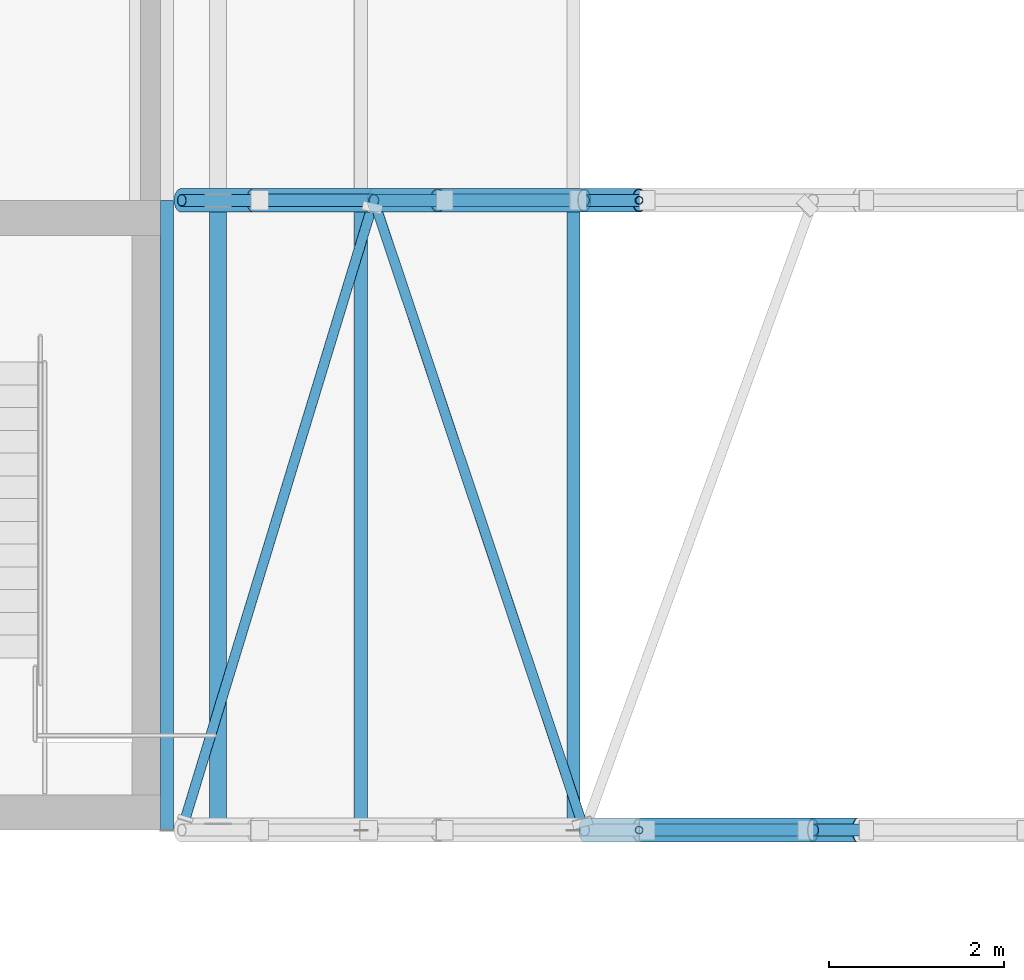
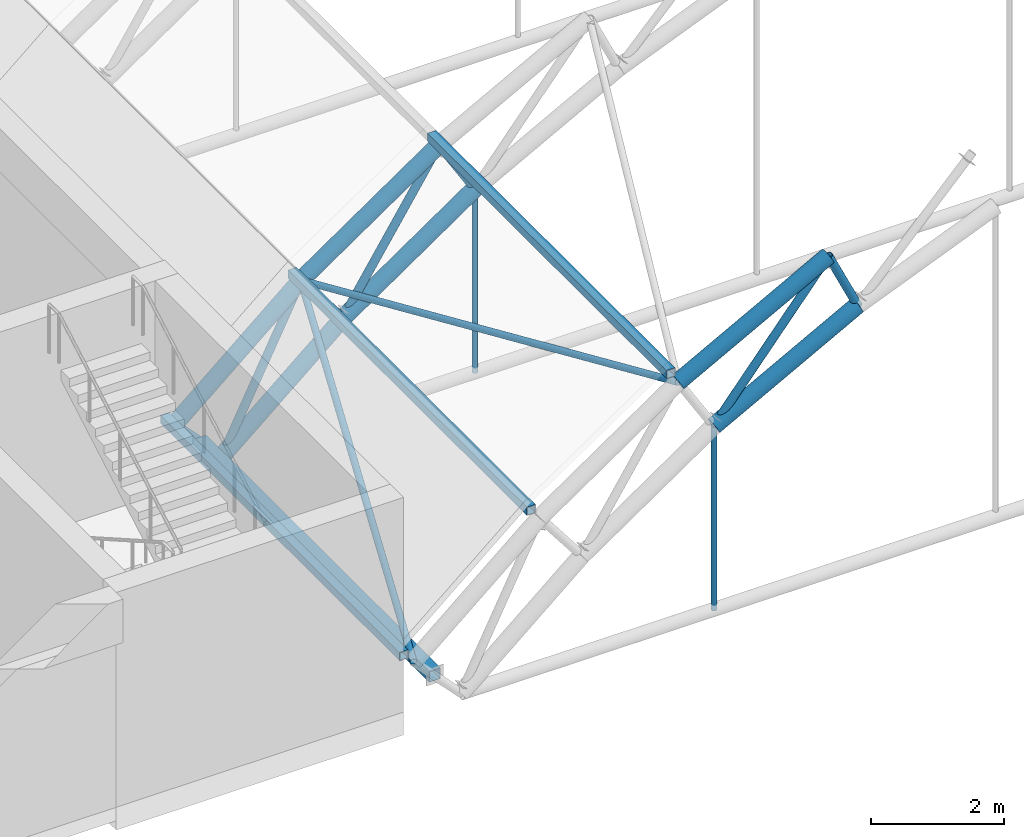
# One storey, part 4 of 101: 21 members.
"""IFC4 building model written with IfcOpenShell, lengths in metres."""

from ifc_helpers import new_model, si_unit, direction, frame, origin, origin_2d, place, context, subcontext, project, spatial, hollow_rectangle, hollow_circle, extrude, material, material_profile, profile_set, type_object, element, save


model = new_model("IFC4")

# Units and contexts
model_context = context("Model", 3, precision=1e-05, world=origin(), true_north=direction((0.0, 1.0)))
body_context = subcontext(model_context, "Body", "Model", "MODEL_VIEW")
ifc_project = project(units=[si_unit("LENGTHUNIT", "METRE"), si_unit("AREAUNIT", "SQUARE_METRE"), si_unit("VOLUMEUNIT", "CUBIC_METRE"), si_unit("PLANEANGLEUNIT", "RADIAN"), si_unit("MASSUNIT", "GRAM", prefix="KILO")], contexts=[model_context])

# Site, building, storey
site_placement = place(None, origin())
site = spatial("IfcSite", under=ifc_project, at=site_placement, CompositionType="ELEMENT")
building_placement = place(site_placement, origin())
building = spatial("IfcBuilding", under=site, at=building_placement, Name="Laocheng Heights Fire and Rescue Headquarters", CompositionType="ELEMENT")
storey_placement = place(building_placement, frame((0.0, 0.0, 8.39990234375)))
storey = spatial("IfcBuildingStorey", under=building, at=storey_placement, Name="L02", CompositionType="ELEMENT", Elevation=8.39990234375)

# Members
ifc_material_1 = material(Name="Steel Q355B", Category="steel")
ifc_material_profile_1 = material_profile(ifc_material_1, hollow_circle(Radius=0.05712890625, WallThickness=0.0048828125, at=origin_2d()), Name="CHS 114.3x5")
ifc_profile_set_1 = profile_set([ifc_material_profile_1], Name="Steel Q355B")
member_type_1 = type_object("IfcMemberType", Name="BAY ROOF BRACE CHS 114.3x5", PredefinedType="BRACE", material=ifc_profile_set_1)
member_1_placement = place(storey_placement, frame((17.172119140625, 0.0, 0.869140625), z_axis=(0.283133389877, 0.927971415967, 0.242290186936), x_axis=(-0.956470579112, 0.291828770501, 0.0)))
element("IfcMember", 1, at=member_1_placement, inside=storey, type_object=member_type_1, Name="Roof brace A-B panel 01", PredefinedType="BRACE", context=body_context, shape_type="SweptSolid", body=[
    extrude(hollow_circle(Radius=0.05712890625, WallThickness=0.0048828125, at=origin_2d()), origin(), (0.0, 0.0, 1.0), 7.7587890625),
])
member_2_placement = place(storey_placement, frame((21.77490234375, 0.0, 4.401123046875), z_axis=(-0.309692523048, 0.926752125541, -0.212652390002), x_axis=(-0.948445041758, -0.316941639366, 0.0)))
element("IfcMember", 2, at=member_2_placement, inside=storey, type_object=member_type_1, Name="Roof brace A-B panel 02", PredefinedType="BRACE", context=body_context, shape_type="SweptSolid", body=[
    extrude(hollow_circle(Radius=0.05712890625, WallThickness=0.0048828125, at=origin_2d()), origin(), (0.0, 0.0, 1.0), 7.76904296875),
])
ifc_material_2 = material(Name="Steel Q355B", Category="steel")
ifc_material_profile_2 = material_profile(ifc_material_2, hollow_circle(Radius=0.136474609375, WallThickness=0.011962890625, at=origin_2d()), Name="CHS 273x12")
ifc_profile_set_2 = profile_set([ifc_material_profile_2], Name="Steel Q355B")
member_type_2 = type_object("IfcMemberType", Name="BAY ROOF CHORD CHS 273x12", PredefinedType="CHORD", material=ifc_profile_set_2)
member_3_placement = place(storey_placement, frame((21.77490234375, 0.0, 4.401123046875), z_axis=(0.880624173368, 0.0, 0.473815433771), x_axis=(0.0, 1.0, 0.0)))
element("IfcMember", 3, at=member_3_placement, inside=storey, type_object=member_type_2, Name="Truss TR1 upper chord 03", PredefinedType="CHORD", context=body_context, shape_type="SweptSolid", body=[
    extrude(hollow_circle(Radius=0.136474609375, WallThickness=0.011962890625, at=origin_2d()), origin(), (0.0, 0.0, 1.0), 2.969482421875),
])
member_4_placement = place(storey_placement, frame((22.39990234375, 0.0, 3.377197265625), z_axis=(0.880645014109, 0.0, 0.473776697532), x_axis=(0.0, 1.0, 0.0)))
element("IfcMember", 4, at=member_4_placement, inside=storey, type_object=member_type_2, Name="Truss TR1 lower chord 03", PredefinedType="CHORD", context=body_context, shape_type="SweptSolid", body=[
    extrude(hollow_circle(Radius=0.136474609375, WallThickness=0.011962890625, at=origin_2d()), origin(), (0.0, 0.0, 1.0), 2.8388671875),
])
member_5_placement = place(storey_placement, frame((17.172119140625, 7.199951171875, 0.869140625), z_axis=(0.759780870103, 0.0, 0.650179228694), x_axis=(0.0, 1.0, 0.0)))
element("IfcMember", 5, at=member_5_placement, inside=storey, type_object=member_type_2, Name="Truss TR2 upper chord 01", PredefinedType="CHORD", context=body_context, shape_type="SweptSolid", body=[
    extrude(hollow_circle(Radius=0.136474609375, WallThickness=0.011962890625, at=origin_2d()), origin(), (0.0, 0.0, 1.0), 2.891357421875),
])
member_6_placement = place(storey_placement, frame((19.368896484375, 7.199951171875, 2.7490234375), z_axis=(0.824366402467, 0.0, 0.566056564738), x_axis=(0.0, 1.0, 0.0)))
element("IfcMember", 6, at=member_6_placement, inside=storey, type_object=member_type_2, Name="Truss TR2 upper chord 02", PredefinedType="CHORD", context=body_context, shape_type="SweptSolid", body=[
    extrude(hollow_circle(Radius=0.136474609375, WallThickness=0.011962890625, at=origin_2d()), origin(), (0.0, 0.0, 1.0), 2.918701171875),
])
member_7_placement = place(storey_placement, frame((18.0, 7.199951171875, 0.0), z_axis=(0.759611792673, 0.0, 0.650376755759), x_axis=(0.0, 1.0, 0.0)))
element("IfcMember", 7, at=member_7_placement, inside=storey, type_object=member_type_2, Name="Truss TR2 lower chord 01", PredefinedType="CHORD", context=body_context, shape_type="SweptSolid", body=[
    extrude(hollow_circle(Radius=0.136474609375, WallThickness=0.011962890625, at=origin_2d()), origin(), (0.0, 0.0, 1.0), 2.7646484375),
])
member_8_placement = place(storey_placement, frame((20.10009765625, 7.199951171875, 1.798095703125), z_axis=(0.824378833686, 0.0, 0.566038460327), x_axis=(0.0, 1.0, 0.0)))
element("IfcMember", 8, at=member_8_placement, inside=storey, type_object=member_type_2, Name="Truss TR2 lower chord 02", PredefinedType="CHORD", context=body_context, shape_type="SweptSolid", body=[
    extrude(hollow_circle(Radius=0.136474609375, WallThickness=0.011962890625, at=origin_2d()), origin(), (0.0, 0.0, 1.0), 2.789794921875),
])
ifc_material_3 = material(Name="Steel Q355B", Category="steel")
ifc_material_profile_3 = material_profile(ifc_material_3, hollow_circle(Radius=0.06982421875, WallThickness=0.006103515625, at=origin_2d()), Name="CHS 139.7x6")
ifc_profile_set_3 = profile_set([ifc_material_profile_3], Name="Steel Q355B")
member_type_3 = type_object("IfcMemberType", Name="BAY ROOF DIAG CHS 139.7x6", PredefinedType="BRACE", material=ifc_profile_set_3)
member_9_placement = place(storey_placement, frame((22.39990234375, 0.0, 3.377197265625), z_axis=(0.633440900174, 0.0, 0.773791073861), x_axis=(0.0, 1.0, 0.0)))
element("IfcMember", 9, at=member_9_placement, inside=storey, type_object=member_type_3, Name="Truss diagonal TR1-03", PredefinedType="BRACE", context=body_context, shape_type="SweptSolid", body=[
    extrude(hollow_circle(Radius=0.06982421875, WallThickness=0.006103515625, at=origin_2d()), origin(), (0.0, 0.0, 1.0), 3.1416015625),
])
member_10_placement = place(storey_placement, frame((18.0, 7.199951171875, 0.0), z_axis=(0.445750218044, 0.0, 0.89515738455), x_axis=(0.0, 1.0, 0.0)))
element("IfcMember", 10, at=member_10_placement, inside=storey, type_object=member_type_3, Name="Truss diagonal TR2-01", PredefinedType="BRACE", context=body_context, shape_type="SweptSolid", body=[
    extrude(hollow_circle(Radius=0.06982421875, WallThickness=0.006103515625, at=origin_2d()), origin(), (0.0, 0.0, 1.0), 3.071044921875),
])
member_11_placement = place(storey_placement, frame((20.10009765625, 7.199951171875, 1.798095703125), z_axis=(0.541084441546, 0.0, 0.840968267604), x_axis=(0.0, 1.0, 0.0)))
element("IfcMember", 11, at=member_11_placement, inside=storey, type_object=member_type_3, Name="Truss diagonal TR2-02", PredefinedType="BRACE", context=body_context, shape_type="SweptSolid", body=[
    extrude(hollow_circle(Radius=0.06982421875, WallThickness=0.006103515625, at=origin_2d()), origin(), (0.0, 0.0, 1.0), 3.09521484375),
])
ifc_material_4 = material(Name="Steel Q355B", Category="steel")
ifc_material_profile_4 = material_profile(ifc_material_4, hollow_rectangle(XDim=0.199951171875, YDim=0.199951171875, WallThickness=0.008056640625, at=origin_2d()), Name="SHS 200x200x8")
ifc_profile_set_4 = profile_set([ifc_material_profile_4], Name="Steel Q355B")
member_type_4 = type_object("IfcMemberType", Name="BAY ROOF EAVES SHS 200x200x8", PredefinedType="STRUT", material=ifc_profile_set_4)
member_12_placement = place(storey_placement, frame((17.5859375, 0.06982421875, 0.4345703125), z_axis=(0.0, 1.0, 0.0), x_axis=(-1.0, 0.0, 0.0)))
element("IfcMember", 12, at=member_12_placement, inside=storey, type_object=member_type_4, Name="Eaves strut W1", PredefinedType="STRUT", context=body_context, shape_type="SweptSolid", body=[
    extrude(hollow_rectangle(XDim=0.199951171875, YDim=0.199951171875, WallThickness=0.008056640625, at=origin_2d()), origin(), (0.0, 0.0, 1.0), 7.060302734375),
])
ifc_material_5 = material(Name="Steel Q355B", Category="steel")
ifc_material_profile_5 = material_profile(ifc_material_5, hollow_circle(Radius=0.04443359375, WallThickness=0.0048828125, at=origin_2d()), Name="CHS 88.9x5")
ifc_profile_set_5 = profile_set([ifc_material_profile_5], Name="Steel Q355B")
member_type_5 = type_object("IfcMemberType", Name="BAY ROOF HANGER CHS 88.9x5", PredefinedType="POST", material=ifc_profile_set_5)
for number, where, z_axis, x_axis, name in (
    (13, (22.39990234375, 0.0, 0.0), (0.0, 0.0, 1.0), (1.0, 0.0, 0.0), "Truss TR1 hanger 02"),
    (14, (22.39990234375, 7.199951171875, 0.0), (0.0, 0.0, 1.0), (1.0, 0.0, 0.0), "Truss TR2 hanger 02"),
):
    element("IfcMember", number, at=place(storey_placement, frame(where, z_axis=z_axis, x_axis=x_axis)), inside=storey, type_object=member_type_5, Name=name, PredefinedType="POST", context=body_context, shape_type="SweptSolid", body=[
        extrude(hollow_circle(Radius=0.04443359375, WallThickness=0.0048828125, at=origin_2d()), origin(), (0.0, 0.0, 1.0), 3.377197265625),
    ])
ifc_material_6 = material(Name="Steel Q355B", Category="steel")
ifc_material_profile_6 = material_profile(ifc_material_6, hollow_circle(Radius=0.06982421875, WallThickness=0.006103515625, at=origin_2d()), Name="CHS 139.7x6")
ifc_profile_set_6 = profile_set([ifc_material_profile_6], Name="Steel Q355B")
member_type_6 = type_object("IfcMemberType", Name="BAY ROOF POST CHS 139.7x6", PredefinedType="POST", material=ifc_profile_set_6)
member_13_placement = place(storey_placement, frame((24.89990234375, 0.0, 4.72216796875), z_axis=(-0.425101107328, 0.0, 0.90514587142), x_axis=(0.0, -1.0, 0.0)))
element("IfcMember", 15, at=member_13_placement, inside=storey, type_object=member_type_6, Name="Truss TR1 radial post 03", PredefinedType="POST", context=body_context, shape_type="SweptSolid", body=[
    extrude(hollow_circle(Radius=0.06982421875, WallThickness=0.006103515625, at=origin_2d()), origin(), (0.0, 0.0, 1.0), 1.19970703125),
])
member_14_placement = place(storey_placement, frame((18.0, 7.199951171875, 0.0), z_axis=(-0.689711037364, 0.0, 0.72408472221), x_axis=(0.0, -1.0, 0.0)))
element("IfcMember", 16, at=member_14_placement, inside=storey, type_object=member_type_6, Name="Truss TR2 radial post 00", PredefinedType="POST", context=body_context, shape_type="SweptSolid", body=[
    extrude(hollow_circle(Radius=0.06982421875, WallThickness=0.006103515625, at=origin_2d()), origin(), (0.0, 0.0, 1.0), 1.200439453125),
])
member_15_placement = place(storey_placement, frame((20.10009765625, 7.199951171875, 1.798095703125), z_axis=(-0.609563212164, 0.0, 0.792737466237), x_axis=(0.0, -1.0, 0.0)))
element("IfcMember", 17, at=member_15_placement, inside=storey, type_object=member_type_6, Name="Truss TR2 radial post 01", PredefinedType="POST", context=body_context, shape_type="SweptSolid", body=[
    extrude(hollow_circle(Radius=0.06982421875, WallThickness=0.006103515625, at=origin_2d()), origin(), (0.0, 0.0, 1.0), 1.199462890625),
])
member_16_placement = place(storey_placement, frame((22.39990234375, 7.199951171875, 3.377197265625), z_axis=(-0.521005401076, 0.0, 0.853553379731), x_axis=(0.0, -1.0, 0.0)))
element("IfcMember", 18, at=member_16_placement, inside=storey, type_object=member_type_6, Name="Truss TR2 radial post 02", PredefinedType="POST", context=body_context, shape_type="SweptSolid", body=[
    extrude(hollow_circle(Radius=0.06982421875, WallThickness=0.006103515625, at=origin_2d()), origin(), (0.0, 0.0, 1.0), 1.19970703125),
])
ifc_material_7 = material(Name="Steel Q355B", Category="steel")
ifc_material_profile_7 = material_profile(ifc_material_7, hollow_rectangle(XDim=0.14990234375, YDim=0.14990234375, WallThickness=0.008056640625, at=origin_2d()), Name="SHS 150x150x8")
ifc_profile_set_7 = profile_set([ifc_material_profile_7], Name="Steel Q355B")
member_type_7 = type_object("IfcMemberType", Name="BAY ROOF PURLIN SHS 150x150x8", PredefinedType="PURLIN", material=ifc_profile_set_7)
for number, where, z_axis, x_axis, name in (
    (19, (17.00439453125, 0.0, 1.045166015625), (0.0, 1.0, 0.0), (-1.0, 0.0, 0.0), "Purlin 1.1"),
    (20, (19.221435546875, 0.0, 2.941162109375), (0.0, 1.0, 0.0), (-1.0, 0.0, 0.0), "Purlin 2.1"),
    (21, (21.64990234375, 0.0, 4.60595703125), (0.0, 1.0, 0.0), (-1.0, 0.0, 0.0), "Purlin 3.1"),
):
    element("IfcMember", number, at=place(storey_placement, frame(where, z_axis=z_axis, x_axis=x_axis)), inside=storey, type_object=member_type_7, Name=name, PredefinedType="PURLIN", context=body_context, shape_type="SweptSolid", body=[
        extrude(hollow_rectangle(XDim=0.14990234375, YDim=0.14990234375, WallThickness=0.008056640625, at=origin_2d()), origin(), (0.0, 0.0, 1.0), 7.199951171875),
    ])

save(model, "model.ifc")
